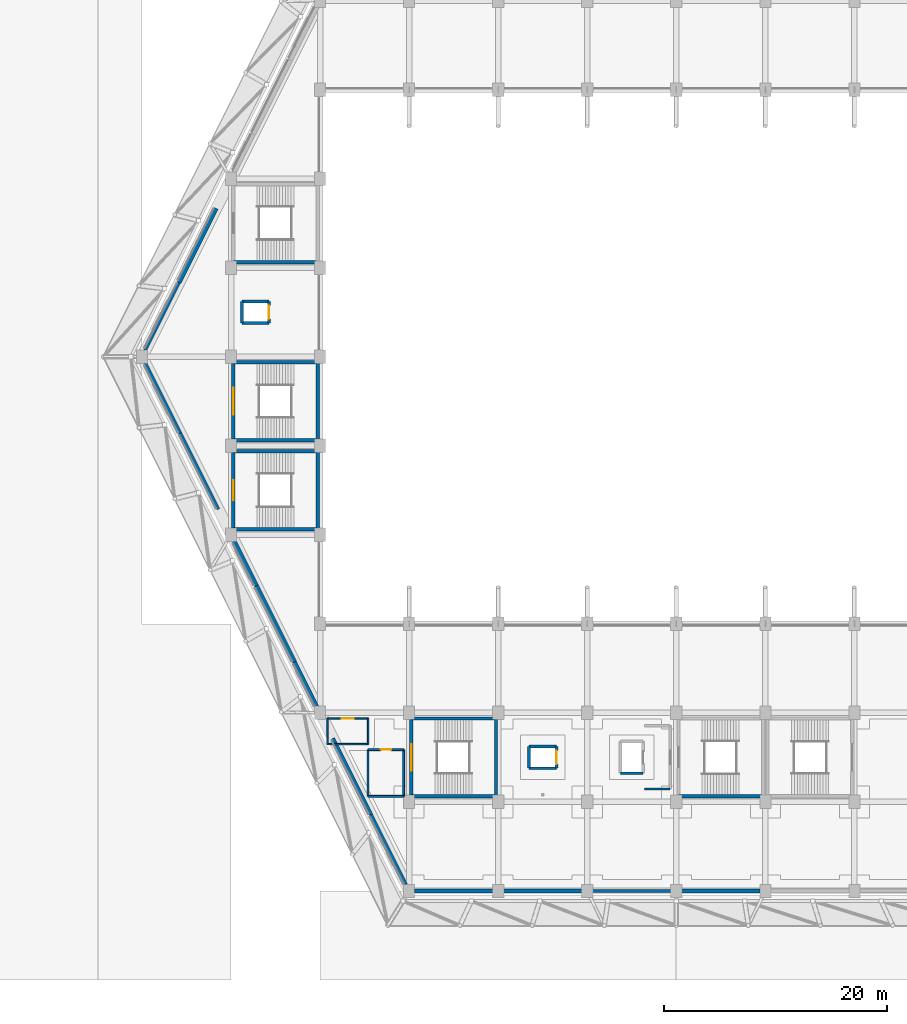
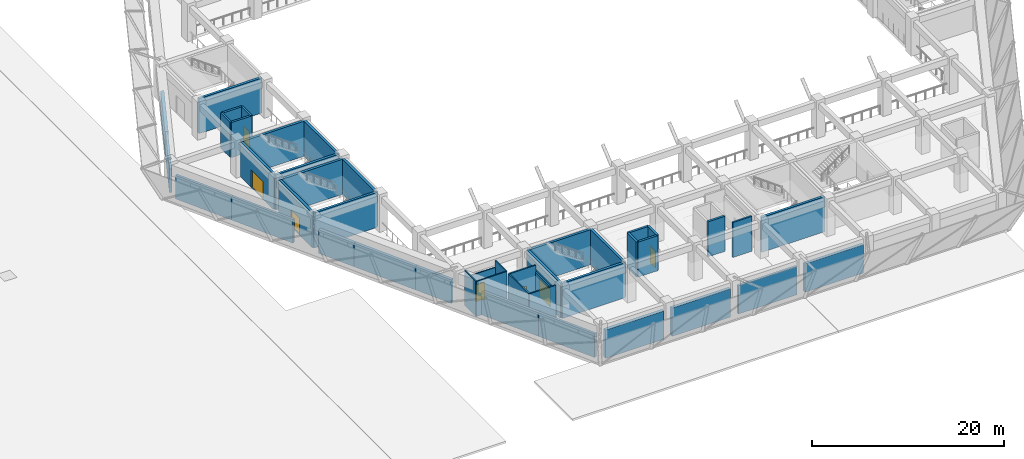
# One storey, part 30 of 46: 45 walls, 7 doors, 7 openings.
"""IFC4 building model written with IfcOpenShell, lengths in metres."""

from ifc_helpers import new_model, si_unit, direction, frame, frame_2d, origin, place, context, subcontext, project, spatial, rectangle, extrude, material, layer, layer_set, type_object, element, fill, save


model = new_model("IFC4")

# Units and contexts
model_context = context("Model", 3, precision=1e-05, world=origin(), true_north=direction((0.0, 1.0)))
body_context = subcontext(model_context, "Body", "Model", "MODEL_VIEW")
ifc_project = project(units=[si_unit("LENGTHUNIT", "METRE"), si_unit("AREAUNIT", "SQUARE_METRE"), si_unit("VOLUMEUNIT", "CUBIC_METRE"), si_unit("PLANEANGLEUNIT", "RADIAN"), si_unit("MASSUNIT", "GRAM", prefix="KILO")], contexts=[model_context])

# Site, building, storey
site_placement = place(None, origin())
site = spatial("IfcSite", under=ifc_project, at=site_placement, CompositionType="ELEMENT")
building_placement = place(site_placement, origin())
building = spatial("IfcBuilding", under=site, at=building_placement, Name="Tazarka Park Arena", CompositionType="ELEMENT")
storey_placement = place(building_placement, frame((0.0, 0.0, 10.199951171875)))
storey = spatial("IfcBuildingStorey", under=building, at=storey_placement, Name="L02", CompositionType="ELEMENT", Elevation=10.199951171875)

# Wall
ifc_material_1 = material(Name="Concrete C40/50", Category="concrete")
ifc_layer_1 = layer(ifc_material_1, 0.300048828125, Name="Concrete C40/50")
ifc_layer_set_1 = layer_set([ifc_layer_1], Name="Concrete C40/50")
wall_type_1 = type_object("IfcWallType", Name="IWAL-CW-S1", PredefinedType="SHEAR", material=ifc_layer_set_1)
wall_1_placement = place(storey_placement, frame((71.800048828125, 24.5, 0.0), z_axis=(0.0, 0.0, 1.0), x_axis=(-1.0, 0.0, 0.0)))
element("IfcWall", 1, at=wall_1_placement, inside=storey, type_object=wall_type_1, Name="SCW-L02-ST09-S", PredefinedType="SHEAR", context=body_context, shape_type="SweptSolid", body=[
    extrude(rectangle(XDim=7.60009765625, YDim=0.300048828125, at=frame_2d((3.800048828125, 0.0))), origin(), (0.0, 0.0, 1.0), 4.4599609375),
])

# Wall, opening, door
wall_2_placement = place(storey_placement, frame((64.199951171875, 24.5, 0.0), z_axis=(0.0, 0.0, 1.0), x_axis=(0.0, 1.0, 0.0)))
wall_2 = element("IfcWall", 2, at=wall_2_placement, inside=storey, type_object=wall_type_1, Name="SCW-L02-ST09-W", PredefinedType="SHEAR", context=body_context, shape_type="SweptSolid", body=[
    extrude(rectangle(XDim=7.0, YDim=0.300048828125, at=frame_2d((3.5, 0.0))), origin(), (0.0, 0.0, 1.0), 4.4599609375),
])
opening_1_placement = place(wall_2_placement, frame((2.300048828125, 0.0, 0.0)))
opening_1 = element("IfcOpeningElement", 3, at=opening_1_placement, cuts=wall_2, Name="Opening ID-05", PredefinedType="OPENING", context=body_context, shape_type="SweptSolid", body=[
    extrude(rectangle(XDim=2.39990234375, YDim=2.199951171875, at=frame_2d((1.199951171875, 1.10009765625))), frame((0.0, 0.16015625, 0.0), z_axis=(0.0, -1.0, 0.0), x_axis=(1.0, 0.0, 0.0)), (0.0, 0.0, 1.0), 0.320068359375),
])
ifc_material_2 = material(Name="Fire-rated powder-coated steel and acoustic timber", Category="steel")
door_type_1 = type_object("IfcDoorType", Name="IDR-ID-05", OperationType="NOTDEFINED", PredefinedType="DOOR", material=ifc_material_2)
door_1_placement = place(opening_1_placement, frame((2.39990234375, 0.0, 0.0), z_axis=(0.0, 0.0, 1.0), x_axis=(-1.0, 0.0, 0.0)))
door_1 = element("IfcDoor", 4, at=door_1_placement, inside=storey, type_object=door_type_1, Name="Exit Stair Door ST09-L02", OperationType="DOUBLE_DOOR_SINGLE_SWING", OverallHeight=2.199951171875, OverallWidth=2.39990234375, PredefinedType="DOOR", context=body_context, shape_type="SweptSolid", body=[
    extrude(rectangle(XDim=2.39990234375, YDim=2.199951171875, at=frame_2d((1.199951171875, 1.10009765625))), frame((0.0, 0.02490234375, 0.0), z_axis=(0.0, -1.0, 0.0), x_axis=(1.0, 0.0, 0.0)), (0.0, 0.0, 1.0), 0.050048828125),
])
fill(opening_1, door_1)

# Walls
wall_3_placement = place(storey_placement, frame((64.199951171875, 31.5, 0.0), z_axis=(0.0, 0.0, 1.0), x_axis=(1.0, 0.0, 0.0)))
element("IfcWall", 5, at=wall_3_placement, inside=storey, type_object=wall_type_1, Name="SCW-L02-ST09-N", PredefinedType="SHEAR", context=body_context, shape_type="SweptSolid", body=[
    extrude(rectangle(XDim=7.60009765625, YDim=0.300048828125, at=frame_2d((3.800048828125, 0.0))), origin(), (0.0, 0.0, 1.0), 4.4599609375),
])
wall_4_placement = place(storey_placement, frame((71.800048828125, 31.5, 0.0), z_axis=(0.0, 0.0, 1.0), x_axis=(0.0, -1.0, 0.0)))
element("IfcWall", 6, at=wall_4_placement, inside=storey, type_object=wall_type_1, Name="SCW-L02-ST09-E", PredefinedType="SHEAR", context=body_context, shape_type="SweptSolid", body=[
    extrude(rectangle(XDim=7.0, YDim=0.300048828125, at=frame_2d((3.5, 0.0))), origin(), (0.0, 0.0, 1.0), 4.4599609375),
])
wall_5_placement = place(storey_placement, frame((55.800048828125, 56.5, 0.0), z_axis=(0.0, 0.0, 1.0), x_axis=(-1.0, 0.0, 0.0)))
element("IfcWall", 7, at=wall_5_placement, inside=storey, type_object=wall_type_1, Name="SCW-L02-ST13-S", PredefinedType="SHEAR", context=body_context, shape_type="SweptSolid", body=[
    extrude(rectangle(XDim=7.60009765625, YDim=0.300048828125, at=frame_2d((3.800048828125, 0.0))), origin(), (0.0, 0.0, 1.0), 4.4599609375),
])

# Wall, opening, door
wall_6_placement = place(storey_placement, frame((48.199951171875, 56.5, 0.0), z_axis=(0.0, 0.0, 1.0), x_axis=(0.0, 1.0, 0.0)))
wall_6 = element("IfcWall", 8, at=wall_6_placement, inside=storey, type_object=wall_type_1, Name="SCW-L02-ST13-W", PredefinedType="SHEAR", context=body_context, shape_type="SweptSolid", body=[
    extrude(rectangle(XDim=7.0, YDim=0.300048828125, at=frame_2d((3.5, 0.0))), origin(), (0.0, 0.0, 1.0), 4.4599609375),
])
opening_2_placement = place(wall_6_placement, frame((2.300048828125, 0.0, 0.0)))
opening_2 = element("IfcOpeningElement", 9, at=opening_2_placement, cuts=wall_6, Name="Opening ID-05", PredefinedType="OPENING", context=body_context, shape_type="SweptSolid", body=[
    extrude(rectangle(XDim=2.39990234375, YDim=2.199951171875, at=frame_2d((1.199951171875, 1.10009765625))), frame((0.0, 0.16015625, 0.0), z_axis=(0.0, -1.0, 0.0), x_axis=(1.0, 0.0, 0.0)), (0.0, 0.0, 1.0), 0.320068359375),
])
door_2_placement = place(opening_2_placement, frame((2.39990234375, 0.0, 0.0), z_axis=(0.0, 0.0, 1.0), x_axis=(-1.0, 0.0, 0.0)))
door_2 = element("IfcDoor", 10, at=door_2_placement, inside=storey, type_object=door_type_1, Name="Exit Stair Door ST13-L02", OperationType="DOUBLE_DOOR_SINGLE_SWING", OverallHeight=2.199951171875, OverallWidth=2.39990234375, PredefinedType="DOOR", context=body_context, shape_type="SweptSolid", body=[
    extrude(rectangle(XDim=2.39990234375, YDim=2.199951171875, at=frame_2d((1.199951171875, 1.10009765625))), frame((0.0, 0.02490234375, 0.0), z_axis=(0.0, -1.0, 0.0), x_axis=(1.0, 0.0, 0.0)), (0.0, 0.0, 1.0), 0.050048828125),
])
fill(opening_2, door_2)

# Walls
wall_7_placement = place(storey_placement, frame((48.199951171875, 63.5, 0.0), z_axis=(0.0, 0.0, 1.0), x_axis=(1.0, 0.0, 0.0)))
element("IfcWall", 11, at=wall_7_placement, inside=storey, type_object=wall_type_1, Name="SCW-L02-ST13-N", PredefinedType="SHEAR", context=body_context, shape_type="SweptSolid", body=[
    extrude(rectangle(XDim=7.60009765625, YDim=0.300048828125, at=frame_2d((3.800048828125, 0.0))), origin(), (0.0, 0.0, 1.0), 4.4599609375),
])
wall_8_placement = place(storey_placement, frame((55.800048828125, 63.5, 0.0), z_axis=(0.0, 0.0, 1.0), x_axis=(0.0, -1.0, 0.0)))
element("IfcWall", 12, at=wall_8_placement, inside=storey, type_object=wall_type_1, Name="SCW-L02-ST13-E", PredefinedType="SHEAR", context=body_context, shape_type="SweptSolid", body=[
    extrude(rectangle(XDim=7.0, YDim=0.300048828125, at=frame_2d((3.5, 0.0))), origin(), (0.0, 0.0, 1.0), 4.4599609375),
])
wall_9_placement = place(storey_placement, frame((55.800048828125, 48.5, 0.0), z_axis=(0.0, 0.0, 1.0), x_axis=(-1.0, 0.0, 0.0)))
element("IfcWall", 13, at=wall_9_placement, inside=storey, type_object=wall_type_1, Name="SCW-L02-ST19-S", PredefinedType="SHEAR", context=body_context, shape_type="SweptSolid", body=[
    extrude(rectangle(XDim=7.60009765625, YDim=0.300048828125, at=frame_2d((3.800048828125, 0.0))), origin(), (0.0, 0.0, 1.0), 4.4599609375),
])

# Wall, opening, door
wall_10_placement = place(storey_placement, frame((48.199951171875, 48.5, 0.0), z_axis=(0.0, 0.0, 1.0), x_axis=(0.0, 1.0, 0.0)))
wall_10 = element("IfcWall", 14, at=wall_10_placement, inside=storey, type_object=wall_type_1, Name="SCW-L02-ST19-W", PredefinedType="SHEAR", context=body_context, shape_type="SweptSolid", body=[
    extrude(rectangle(XDim=7.0, YDim=0.300048828125, at=frame_2d((3.5, 0.0))), origin(), (0.0, 0.0, 1.0), 4.4599609375),
])
opening_3_placement = place(wall_10_placement, frame((2.60009765625, 0.0, 0.0)))
opening_3 = element("IfcOpeningElement", 15, at=opening_3_placement, cuts=wall_10, Name="Opening ID-04", PredefinedType="OPENING", context=body_context, shape_type="SweptSolid", body=[
    extrude(rectangle(XDim=1.800048828125, YDim=2.199951171875, at=frame_2d((0.89990234375, 1.10009765625))), frame((0.0, 0.16015625, 0.0), z_axis=(0.0, -1.0, 0.0), x_axis=(1.0, 0.0, 0.0)), (0.0, 0.0, 1.0), 0.320068359375),
])
ifc_material_3 = material(Name="Fire-rated powder-coated steel and acoustic timber", Category="steel")
door_type_2 = type_object("IfcDoorType", Name="IDR-ID-04", OperationType="NOTDEFINED", PredefinedType="DOOR", material=ifc_material_3)
door_3_placement = place(opening_3_placement, frame((1.800048828125, 0.0, 0.0), z_axis=(0.0, 0.0, 1.0), x_axis=(-1.0, 0.0, 0.0)))
door_3 = element("IfcDoor", 16, at=door_3_placement, inside=storey, type_object=door_type_2, Name="Vomitory Stair Door ST19-L02", OperationType="DOUBLE_DOOR_SINGLE_SWING", OverallHeight=2.199951171875, OverallWidth=1.800048828125, PredefinedType="DOOR", context=body_context, shape_type="SweptSolid", body=[
    extrude(rectangle(XDim=1.800048828125, YDim=2.199951171875, at=frame_2d((0.89990234375, 1.10009765625))), frame((0.0, 0.02490234375, 0.0), z_axis=(0.0, -1.0, 0.0), x_axis=(1.0, 0.0, 0.0)), (0.0, 0.0, 1.0), 0.050048828125),
])
fill(opening_3, door_3)

# Walls
wall_11_placement = place(storey_placement, frame((48.199951171875, 55.5, 0.0), z_axis=(0.0, 0.0, 1.0), x_axis=(1.0, 0.0, 0.0)))
element("IfcWall", 17, at=wall_11_placement, inside=storey, type_object=wall_type_1, Name="SCW-L02-ST19-N", PredefinedType="SHEAR", context=body_context, shape_type="SweptSolid", body=[
    extrude(rectangle(XDim=7.60009765625, YDim=0.300048828125, at=frame_2d((3.800048828125, 0.0))), origin(), (0.0, 0.0, 1.0), 4.4599609375),
])
wall_12_placement = place(storey_placement, frame((55.800048828125, 55.5, 0.0), z_axis=(0.0, 0.0, 1.0), x_axis=(0.0, -1.0, 0.0)))
element("IfcWall", 18, at=wall_12_placement, inside=storey, type_object=wall_type_1, Name="SCW-L02-ST19-E", PredefinedType="SHEAR", context=body_context, shape_type="SweptSolid", body=[
    extrude(rectangle(XDim=7.0, YDim=0.300048828125, at=frame_2d((3.5, 0.0))), origin(), (0.0, 0.0, 1.0), 4.4599609375),
])
for number, where, z_axis, x_axis, name in (
    (19, (55.800048828125, 72.5, 0.0), (0.0, 0.0, 1.0), (-1.0, 0.0, 0.0), "SCW-L02-ST20-S"),
    (20, (95.800048828125, 24.5, 0.0), (0.0, 0.0, 1.0), (-1.0, 0.0, 0.0), "SCW-L02-ST23-S"),
):
    element("IfcWall", number, at=place(storey_placement, frame(where, z_axis=z_axis, x_axis=x_axis)), inside=storey, type_object=wall_type_1, Name=name, PredefinedType="SHEAR", context=body_context, shape_type="SweptSolid", body=[
        extrude(rectangle(XDim=7.60009765625, YDim=0.300048828125, at=frame_2d((3.800048828125, 0.0))), origin(), (0.0, 0.0, 1.0), 4.4599609375),
    ])
ifc_material_4 = material(Name="Concrete C40/50", Category="concrete")
ifc_layer_2 = layer(ifc_material_4, 0.260009765625, Name="Concrete C40/50")
ifc_layer_set_2 = layer_set([ifc_layer_2], Name="Concrete C40/50")
wall_type_2 = type_object("IfcWallType", Name="IWAL-CW-S3", PredefinedType="SHEAR", material=ifc_layer_set_2)
wall_13_placement = place(storey_placement, frame((85.02001953125, 26.580078125, 0.0), z_axis=(0.0, 0.0, 1.0), x_axis=(-1.0, 0.0, 0.0)))
element("IfcWall", 21, at=wall_13_placement, inside=storey, type_object=wall_type_2, Name="LSW-L02-LF-04-S", PredefinedType="SHEAR", context=body_context, shape_type="SweptSolid", body=[
    extrude(rectangle(XDim=2.0400390625, YDim=0.260009765625, at=frame_2d((1.02001953125, 0.0))), origin(), (0.0, 0.0, 1.0), 4.4599609375),
])
wall_14_placement = place(storey_placement, frame((74.780029296875, 27.030029296875, 0.0), z_axis=(0.0, 0.0, 1.0), x_axis=(0.0, 1.0, 0.0)))
element("IfcWall", 22, at=wall_14_placement, inside=storey, type_object=wall_type_2, Name="LSW-L02-LF-08-W", PredefinedType="SHEAR", context=body_context, shape_type="SweptSolid", body=[
    extrude(rectangle(XDim=1.93994140625, YDim=0.260009765625, at=frame_2d((0.969970703125, 0.0))), origin(), (0.0, 0.0, 1.0), 4.4599609375),
])
for number, where, z_axis, x_axis, name in (
    (23, (74.780029296875, 28.969970703125, 0.0), (0.0, 0.0, 1.0), (1.0, 0.0, 0.0), "LSW-L02-LF-08-N"),
    (24, (77.219970703125, 27.030029296875, 0.0), (0.0, 0.0, 1.0), (-1.0, 0.0, 0.0), "LSW-L02-LF-08-S"),
):
    element("IfcWall", number, at=place(storey_placement, frame(where, z_axis=z_axis, x_axis=x_axis)), inside=storey, type_object=wall_type_2, Name=name, PredefinedType="SHEAR", context=body_context, shape_type="SweptSolid", body=[
        extrude(rectangle(XDim=2.43994140625, YDim=0.260009765625, at=frame_2d((1.219970703125, 0.0))), origin(), (0.0, 0.0, 1.0), 4.4599609375),
    ])

# Wall, opening, door
wall_15_placement = place(storey_placement, frame((77.219970703125, 28.969970703125, 0.0), z_axis=(0.0, 0.0, 1.0), x_axis=(0.0, -1.0, 0.0)))
wall_15 = element("IfcWall", 25, at=wall_15_placement, inside=storey, type_object=wall_type_2, Name="LSW-L02-LF-08-E", PredefinedType="SHEAR", context=body_context, shape_type="SweptSolid", body=[
    extrude(rectangle(XDim=1.93994140625, YDim=0.260009765625, at=frame_2d((0.969970703125, 0.0))), origin(), (0.0, 0.0, 1.0), 4.4599609375),
])
opening_4_placement = place(wall_15_placement, frame((0.3701171875, 0.0, 0.0)))
opening_4 = element("IfcOpeningElement", 26, at=opening_4_placement, cuts=wall_15, Name="Opening LD-02", PredefinedType="OPENING", context=body_context, shape_type="SweptSolid", body=[
    extrude(rectangle(XDim=1.199951171875, YDim=2.14990234375, at=frame_2d((0.60009765625, 1.074951171875))), frame((0.0, 0.14013671875, 0.0), z_axis=(0.0, -1.0, 0.0), x_axis=(1.0, 0.0, 0.0)), (0.0, 0.0, 1.0), 0.280029296875),
])
ifc_material_5 = material(Name="Fire-rated powder-coated steel and acoustic timber", Category="steel")
door_type_3 = type_object("IfcDoorType", Name="IDR-LD-02", OperationType="NOTDEFINED", PredefinedType="DOOR", material=ifc_material_5)
door_4_placement = place(opening_4_placement, origin())
door_4 = element("IfcDoor", 27, at=door_4_placement, inside=storey, type_object=door_type_3, Name="Lift Landing Door LF-08-L02", OperationType="SLIDING_TO_LEFT", OverallHeight=2.14990234375, OverallWidth=1.199951171875, PredefinedType="DOOR", context=body_context, shape_type="SweptSolid", body=[
    extrude(rectangle(XDim=1.199951171875, YDim=2.14990234375, at=frame_2d((0.60009765625, 1.074951171875))), frame((0.0, 0.02490234375, 0.0), z_axis=(0.0, -1.0, 0.0), x_axis=(1.0, 0.0, 0.0)), (0.0, 0.0, 1.0), 0.050048828125),
])
fill(opening_4, door_4)

# Walls
wall_16_placement = place(storey_placement, frame((48.97998046875, 67.030029296875, 0.0), z_axis=(0.0, 0.0, 1.0), x_axis=(0.0, 1.0, 0.0)))
element("IfcWall", 28, at=wall_16_placement, inside=storey, type_object=wall_type_2, Name="LSW-L02-LF-09-W", PredefinedType="SHEAR", context=body_context, shape_type="SweptSolid", body=[
    extrude(rectangle(XDim=1.93994140625, YDim=0.260009765625, at=frame_2d((0.969970703125, 0.0))), origin(), (0.0, 0.0, 1.0), 4.4599609375),
])
for number, where, z_axis, x_axis, name in (
    (29, (48.97998046875, 68.969970703125, 0.0), (0.0, 0.0, 1.0), (1.0, 0.0, 0.0), "LSW-L02-LF-09-N"),
    (30, (51.419921875, 67.030029296875, 0.0), (0.0, 0.0, 1.0), (-1.0, 0.0, 0.0), "LSW-L02-LF-09-S"),
):
    element("IfcWall", number, at=place(storey_placement, frame(where, z_axis=z_axis, x_axis=x_axis)), inside=storey, type_object=wall_type_2, Name=name, PredefinedType="SHEAR", context=body_context, shape_type="SweptSolid", body=[
        extrude(rectangle(XDim=2.43994140625, YDim=0.260009765625, at=frame_2d((1.219970703125, 0.0))), origin(), (0.0, 0.0, 1.0), 4.4599609375),
    ])

# Wall, opening, door
wall_17_placement = place(storey_placement, frame((51.419921875, 68.969970703125, 0.0), z_axis=(0.0, 0.0, 1.0), x_axis=(0.0, -1.0, 0.0)))
wall_17 = element("IfcWall", 31, at=wall_17_placement, inside=storey, type_object=wall_type_2, Name="LSW-L02-LF-09-E", PredefinedType="SHEAR", context=body_context, shape_type="SweptSolid", body=[
    extrude(rectangle(XDim=1.93994140625, YDim=0.260009765625, at=frame_2d((0.969970703125, 0.0))), origin(), (0.0, 0.0, 1.0), 4.4599609375),
])
opening_5_placement = place(wall_17_placement, frame((0.3701171875, 0.0, 0.0)))
opening_5 = element("IfcOpeningElement", 32, at=opening_5_placement, cuts=wall_17, Name="Opening LD-02", PredefinedType="OPENING", context=body_context, shape_type="SweptSolid", body=[
    extrude(rectangle(XDim=1.199951171875, YDim=2.14990234375, at=frame_2d((0.60009765625, 1.074951171875))), frame((0.0, 0.14013671875, 0.0), z_axis=(0.0, -1.0, 0.0), x_axis=(1.0, 0.0, 0.0)), (0.0, 0.0, 1.0), 0.280029296875),
])
door_5_placement = place(opening_5_placement, origin())
door_5 = element("IfcDoor", 33, at=door_5_placement, inside=storey, type_object=door_type_3, Name="Lift Landing Door LF-09-L02", OperationType="SLIDING_TO_LEFT", OverallHeight=2.14990234375, OverallWidth=1.199951171875, PredefinedType="DOOR", context=body_context, shape_type="SweptSolid", body=[
    extrude(rectangle(XDim=1.199951171875, YDim=2.14990234375, at=frame_2d((0.60009765625, 1.074951171875))), frame((0.0, 0.02490234375, 0.0), z_axis=(0.0, -1.0, 0.0), x_axis=(1.0, 0.0, 0.0)), (0.0, 0.0, 1.0), 0.050048828125),
])
fill(opening_5, door_5)

# Walls
ifc_material_6 = material(Name="Reinforced masonry compartment wall", Category="masonry")
ifc_layer_3 = layer(ifc_material_6, 0.199951171875, Name="Reinforced masonry compartment wall")
ifc_layer_set_3 = layer_set([ifc_layer_3], Name="Reinforced masonry compartment wall")
wall_type_3 = type_object("IfcWallType", Name="IWAL-PT-04", PredefinedType="PARTITIONING", material=ifc_layer_set_3)
wall_18_placement = place(storey_placement, frame((87.449951171875, 25.14990234375, 0.0), z_axis=(0.0, 0.0, 1.0), x_axis=(-1.0, 0.0, 0.0)))
element("IfcWall", 34, at=wall_18_placement, inside=storey, type_object=wall_type_3, Name="FFW-L02-LF-04-S", PredefinedType="PARTITIONING", context=body_context, shape_type="SweptSolid", body=[
    extrude(rectangle(XDim=2.300048828125, YDim=0.199951171875, at=frame_2d((1.14990234375, 0.0))), origin(), (0.0, 0.0, 1.0), 4.4599609375),
])
ifc_material_7 = material(Name="Acoustic gypsum stud partition")
ifc_layer_4 = layer(ifc_material_7, 0.135009765625, Name="Acoustic gypsum stud partition")
ifc_layer_set_4 = layer_set([ifc_layer_4], Name="Acoustic gypsum stud partition")
wall_type_4 = type_object("IfcWallType", Name="IWAL-PT-10", PredefinedType="PARTITIONING", material=ifc_layer_set_4)
wall_19_placement = place(storey_placement, frame((56.641357421875, 29.199951171875, 0.0), z_axis=(0.0, 0.0, 1.0), x_axis=(1.0, 0.0, 0.0)))
element("IfcWall", 35, at=wall_19_placement, inside=storey, type_object=wall_type_4, Name="WCE-L02-087", PredefinedType="PARTITIONING", context=body_context, shape_type="SweptSolid", body=[
    extrude(rectangle(XDim=3.65869140625, YDim=0.135009765625, at=frame_2d((1.829345703125, 0.0))), origin(), (0.0, 0.0, 1.0), 4.4599609375),
])
wall_20_placement = place(storey_placement, frame((60.300048828125, 29.199951171875, 0.0), z_axis=(0.0, 0.0, 1.0), x_axis=(0.0, 1.0, 0.0)))
element("IfcWall", 36, at=wall_20_placement, inside=storey, type_object=wall_type_4, Name="WCE-L02-088", PredefinedType="PARTITIONING", context=body_context, shape_type="SweptSolid", body=[
    extrude(rectangle(XDim=2.300048828125, YDim=0.135009765625, at=frame_2d((1.14990234375, 0.0))), origin(), (0.0, 0.0, 1.0), 4.4599609375),
])

# Wall, opening, door
wall_21_placement = place(storey_placement, frame((60.300048828125, 31.5, 0.0), z_axis=(0.0, 0.0, 1.0), x_axis=(-1.0, 0.0, 0.0)))
wall_21 = element("IfcWall", 37, at=wall_21_placement, inside=storey, type_object=wall_type_4, Name="WCE-L02-089", PredefinedType="PARTITIONING", context=body_context, shape_type="SweptSolid", body=[
    extrude(rectangle(XDim=3.65869140625, YDim=0.135009765625, at=frame_2d((1.829345703125, 0.0))), origin(), (0.0, 0.0, 1.0), 3.60009765625),
])
opening_6_placement = place(wall_21_placement, frame((1.279296875, 0.0, 0.0)))
opening_6 = element("IfcOpeningElement", 38, at=opening_6_placement, cuts=wall_21, Name="Opening ID-02", PredefinedType="OPENING", context=body_context, shape_type="SweptSolid", body=[
    extrude(rectangle(XDim=1.10009765625, YDim=2.14990234375, at=frame_2d((0.550048828125, 1.074951171875))), frame((0.0, 0.07763671875, 0.0), z_axis=(0.0, -1.0, 0.0), x_axis=(1.0, 0.0, 0.0)), (0.0, 0.0, 1.0), 0.155029296875),
])
ifc_material_8 = material(Name="Fire-rated powder-coated steel and acoustic timber", Category="steel")
door_type_4 = type_object("IfcDoorType", Name="IDR-ID-02", OperationType="NOTDEFINED", PredefinedType="DOOR", material=ifc_material_8)
door_6_placement = place(opening_6_placement, origin())
door_6 = element("IfcDoor", 39, at=door_6_placement, inside=storey, type_object=door_type_4, Name="Room Door Accessible WC South 1", OperationType="SINGLE_SWING_LEFT", OverallHeight=2.14990234375, OverallWidth=1.10009765625, PredefinedType="DOOR", context=body_context, shape_type="SweptSolid", body=[
    extrude(rectangle(XDim=1.10009765625, YDim=2.14990234375, at=frame_2d((0.550048828125, 1.074951171875))), frame((0.0, 0.02490234375, 0.0), z_axis=(0.0, -1.0, 0.0), x_axis=(1.0, 0.0, 0.0)), (0.0, 0.0, 1.0), 0.050048828125),
])
fill(opening_6, door_6)

# Walls
wall_22_placement = place(storey_placement, frame((56.641357421875, 31.5, 0.0), z_axis=(0.0, 0.0, 1.0), x_axis=(0.0, -1.0, 0.0)))
element("IfcWall", 40, at=wall_22_placement, inside=storey, type_object=wall_type_4, Name="WCE-L02-090", PredefinedType="PARTITIONING", context=body_context, shape_type="SweptSolid", body=[
    extrude(rectangle(XDim=2.300048828125, YDim=0.135009765625, at=frame_2d((1.14990234375, 0.0))), origin(), (0.0, 0.0, 1.0), 4.4599609375),
])
ifc_material_9 = material(Name="Wet-zone tiled blockwork wall", Category="masonry")
ifc_layer_5 = layer(ifc_material_9, 0.175048828125, Name="Wet-zone tiled blockwork wall")
ifc_layer_set_5 = layer_set([ifc_layer_5], Name="Wet-zone tiled blockwork wall")
wall_type_5 = type_object("IfcWallType", Name="IWAL-PT-18", PredefinedType="PARTITIONING", material=ifc_layer_set_5)
wall_23_placement = place(storey_placement, frame((60.300048828125, 24.5, 0.0), z_axis=(0.0, 0.0, 1.0), x_axis=(1.0, 0.0, 0.0)))
element("IfcWall", 41, at=wall_23_placement, inside=storey, type_object=wall_type_5, Name="WCE-L02-083", PredefinedType="PARTITIONING", context=body_context, shape_type="SweptSolid", body=[
    extrude(rectangle(XDim=3.199951171875, YDim=0.175048828125, at=frame_2d((1.60009765625, 0.0))), origin(), (0.0, 0.0, 1.0), 4.4599609375),
])
wall_24_placement = place(storey_placement, frame((63.5, 24.5, 0.0), z_axis=(0.0, 0.0, 1.0), x_axis=(0.0, 1.0, 0.0)))
element("IfcWall", 42, at=wall_24_placement, inside=storey, type_object=wall_type_5, Name="WCE-L02-084", PredefinedType="PARTITIONING", context=body_context, shape_type="SweptSolid", body=[
    extrude(rectangle(XDim=4.199951171875, YDim=0.175048828125, at=frame_2d((2.10009765625, 0.0))), origin(), (0.0, 0.0, 1.0), 3.60009765625),
])

# Wall, opening, door
wall_25_placement = place(storey_placement, frame((63.5, 28.699951171875, 0.0), z_axis=(0.0, 0.0, 1.0), x_axis=(-1.0, 0.0, 0.0)))
wall_25 = element("IfcWall", 43, at=wall_25_placement, inside=storey, type_object=wall_type_5, Name="WCE-L02-085", PredefinedType="PARTITIONING", context=body_context, shape_type="SweptSolid", body=[
    extrude(rectangle(XDim=3.199951171875, YDim=0.175048828125, at=frame_2d((1.60009765625, 0.0))), origin(), (0.0, 0.0, 1.0), 4.4599609375),
])
opening_7_placement = place(wall_25_placement, frame((1.125, 0.0, 0.0)))
opening_7 = element("IfcOpeningElement", 44, at=opening_7_placement, cuts=wall_25, Name="Opening ID-09", PredefinedType="OPENING", context=body_context, shape_type="SweptSolid", body=[
    extrude(rectangle(XDim=0.949951171875, YDim=2.14990234375, at=frame_2d((0.47509765625, 1.074951171875))), frame((0.0, 0.09765625, 0.0), z_axis=(0.0, -1.0, 0.0), x_axis=(1.0, 0.0, 0.0)), (0.0, 0.0, 1.0), 0.195068359375),
])
ifc_material_10 = material(Name="Fire-rated powder-coated steel and acoustic timber", Category="steel")
door_type_5 = type_object("IfcDoorType", Name="IDR-ID-09", OperationType="NOTDEFINED", PredefinedType="DOOR", material=ifc_material_10)
door_7_placement = place(opening_7_placement, origin())
door_7 = element("IfcDoor", 45, at=door_7_placement, inside=storey, type_object=door_type_5, Name="Room Door Public Female WC South 1", OperationType="SINGLE_SWING_RIGHT", OverallHeight=2.14990234375, OverallWidth=0.949951171875, PredefinedType="DOOR", context=body_context, shape_type="SweptSolid", body=[
    extrude(rectangle(XDim=0.949951171875, YDim=2.14990234375, at=frame_2d((0.47509765625, 1.074951171875))), frame((0.0, 0.02490234375, 0.0), z_axis=(0.0, -1.0, 0.0), x_axis=(1.0, 0.0, 0.0)), (0.0, 0.0, 1.0), 0.050048828125),
])
fill(opening_7, door_7)

# Walls
wall_26_placement = place(storey_placement, frame((60.300048828125, 28.699951171875, 0.0), z_axis=(0.0, 0.0, 1.0), x_axis=(0.0, -1.0, 0.0)))
element("IfcWall", 46, at=wall_26_placement, inside=storey, type_object=wall_type_5, Name="WCE-L02-086", PredefinedType="PARTITIONING", context=body_context, shape_type="SweptSolid", body=[
    extrude(rectangle(XDim=4.199951171875, YDim=0.175048828125, at=frame_2d((2.10009765625, 0.0))), origin(), (0.0, 0.0, 1.0), 4.4599609375),
])
ifc_material_11 = material(Name="Precast concrete C40/50", Category="concrete")
ifc_layer_6 = layer(ifc_material_11, 0.300048828125, Name="Precast concrete C40/50")
ifc_layer_set_6 = layer_set([ifc_layer_6], Name="Precast concrete C40/50")
wall_type_6 = type_object("IfcWallType", Name="WAL-EW-01", PredefinedType="SOLIDWALL", material=ifc_layer_set_6)
wall_27_placement = place(storey_placement, frame((63.7099609375, 16.580078125, 0.0), z_axis=(0.0, 0.0, 1.0), x_axis=(-0.447227510427, 0.894420233401, 0.0)))
element("IfcWall", 47, at=wall_27_placement, inside=storey, type_object=wall_type_6, Name="EW-L02-0240", PredefinedType="SOLIDWALL", context=body_context, shape_type="SweptSolid", body=[
    extrude(rectangle(XDim=7.01806640625, YDim=0.300048828125, at=frame_2d((3.509033203125, 0.0))), origin(), (0.0, 0.0, 1.0), 3.0),
])
ifc_material_12 = material(Name="Precast concrete C40/50", Category="concrete")
ifc_layer_7 = layer(ifc_material_12, 0.320068359375, Name="Precast concrete C40/50")
ifc_layer_set_7 = layer_set([ifc_layer_7], Name="Precast concrete C40/50")
wall_type_7 = type_object("IfcWallType", Name="WAL-EW-02", PredefinedType="SOLIDWALL", material=ifc_layer_set_7)
wall_28_placement = place(storey_placement, frame((60.5712890625, 22.857177734375, 0.0), z_axis=(0.0, 0.0, 1.0), x_axis=(-0.447200857411, 0.894433559931, 0.0)))
element("IfcWall", 48, at=wall_28_placement, inside=storey, type_object=wall_type_7, Name="EW-L02-0241", PredefinedType="SOLIDWALL", context=body_context, shape_type="SweptSolid", body=[
    extrude(rectangle(XDim=7.66650390625, YDim=0.320068359375, at=frame_2d((3.833251953125, 0.0))), origin(), (0.0, 0.0, 1.0), 3.0),
])
ifc_material_13 = material(Name="Concrete C40/50", Category="concrete")
ifc_layer_8 = layer(ifc_material_13, 0.340087890625, Name="Concrete C40/50")
ifc_layer_set_8 = layer_set([ifc_layer_8], Name="Concrete C40/50")
wall_type_8 = type_object("IfcWallType", Name="WAL-EW-03", PredefinedType="SOLIDWALL", material=ifc_layer_set_8)
wall_29_placement = place(storey_placement, frame((55.7099609375, 32.580078125, 0.0), z_axis=(0.0, 0.0, 1.0), x_axis=(-0.4472135955, 0.894427191, 0.0)))
element("IfcWall", 49, at=wall_29_placement, inside=storey, type_object=wall_type_8, Name="EW-L02-0242", PredefinedType="SOLIDWALL", context=body_context, shape_type="SweptSolid", body=[
    extrude(rectangle(XDim=4.46240234375, YDim=0.340087890625, at=frame_2d((2.231201171875, 0.0))), origin(), (0.0, 0.0, 1.0), 3.0),
])
ifc_material_14 = material(Name="Concrete C40/50", Category="concrete")
ifc_layer_9 = layer(ifc_material_14, 0.360107421875, Name="Concrete C40/50")
ifc_layer_set_9 = layer_set([ifc_layer_9], Name="Concrete C40/50")
wall_type_9 = type_object("IfcWallType", Name="WAL-EW-04", PredefinedType="SOLIDWALL", material=ifc_layer_set_9)
wall_30_placement = place(storey_placement, frame((53.71435546875, 36.5712890625, 0.0), z_axis=(0.0, 0.0, 1.0), x_axis=(-0.4472135955, 0.894427191, 0.0)))
element("IfcWall", 50, at=wall_30_placement, inside=storey, type_object=wall_type_9, Name="EW-L02-0243", PredefinedType="SOLIDWALL", context=body_context, shape_type="SweptSolid", body=[
    extrude(rectangle(XDim=7.666748046875, YDim=0.360107421875, at=frame_2d((3.83349609375, 0.0))), origin(), (0.0, 0.0, 1.0), 3.0),
])
ifc_material_15 = material(Name="Concrete C50/60", Category="concrete")
ifc_layer_10 = layer(ifc_material_15, 0.3798828125, Name="Concrete C50/60")
ifc_layer_set_10 = layer_set([ifc_layer_10], Name="Concrete C50/60")
wall_type_10 = type_object("IfcWallType", Name="WAL-EW-05", PredefinedType="SOLIDWALL", material=ifc_layer_set_10)
wall_31_placement = place(storey_placement, frame((50.28564453125, 43.4287109375, 0.0), z_axis=(0.0, 0.0, 1.0), x_axis=(-0.4472135955, 0.894427191, 0.0)))
element("IfcWall", 51, at=wall_31_placement, inside=storey, type_object=wall_type_10, Name="EW-L02-0244", PredefinedType="SOLIDWALL", context=body_context, shape_type="SweptSolid", body=[
    extrude(rectangle(XDim=4.46240234375, YDim=0.3798828125, at=frame_2d((2.231201171875, 0.0))), origin(), (0.0, 0.0, 1.0), 3.0),
])
ifc_material_16 = material(Name="Precast concrete C40/50", Category="concrete")
ifc_layer_11 = layer(ifc_material_16, 0.280029296875, Name="Precast concrete C40/50")
ifc_layer_set_11 = layer_set([ifc_layer_11], Name="Precast concrete C40/50")
wall_type_11 = type_object("IfcWallType", Name="WAL-EW-06", PredefinedType="SOLIDWALL", material=ifc_layer_set_11)
wall_32_placement = place(storey_placement, frame((46.857177734375, 50.28564453125, 0.0), z_axis=(0.0, 0.0, 1.0), x_axis=(-0.447200857411, 0.894433559931, 0.0)))
element("IfcWall", 52, at=wall_32_placement, inside=storey, type_object=wall_type_11, Name="EW-L02-0245", PredefinedType="SOLIDWALL", context=body_context, shape_type="SweptSolid", body=[
    extrude(rectangle(XDim=7.66650390625, YDim=0.280029296875, at=frame_2d((3.833251953125, 0.0))), origin(), (0.0, 0.0, 1.0), 3.0),
])
ifc_material_17 = material(Name="Precast concrete C40/50", Category="concrete")
ifc_layer_12 = layer(ifc_material_17, 0.2900390625, Name="Precast concrete C40/50")
ifc_layer_set_12 = layer_set([ifc_layer_12], Name="Precast concrete C40/50")
wall_type_12 = type_object("IfcWallType", Name="WAL-EW-07", PredefinedType="SOLIDWALL", material=ifc_layer_set_12)
wall_33_placement = place(storey_placement, frame((43.4287109375, 57.142822265625, 0.0), z_axis=(0.0, 0.0, 1.0), x_axis=(-0.447227510427, 0.894420233401, 0.0)))
element("IfcWall", 53, at=wall_33_placement, inside=storey, type_object=wall_type_12, Name="EW-L02-0246", PredefinedType="SOLIDWALL", context=body_context, shape_type="SweptSolid", body=[
    extrude(rectangle(XDim=7.01806640625, YDim=0.2900390625, at=frame_2d((3.509033203125, 0.0))), origin(), (0.0, 0.0, 1.0), 3.0),
])
ifc_material_18 = material(Name="Concrete C40/50", Category="concrete")
ifc_layer_13 = layer(ifc_material_18, 0.35009765625, Name="Concrete C40/50")
ifc_layer_set_13 = layer_set([ifc_layer_13], Name="Concrete C40/50")
wall_type_13 = type_object("IfcWallType", Name="WAL-EW-10", PredefinedType="SOLIDWALL", material=ifc_layer_set_13)
wall_34_placement = place(storey_placement, frame((95.52001953125, 16.0, 0.0), z_axis=(0.0, 0.0, 1.0), x_axis=(-1.0, 0.0, 0.0)))
element("IfcWall", 54, at=wall_34_placement, inside=storey, type_object=wall_type_13, Name="EW-L02-0249", PredefinedType="SOLIDWALL", context=body_context, shape_type="SweptSolid", body=[
    extrude(rectangle(XDim=7.0400390625, YDim=0.35009765625, at=frame_2d((3.52001953125, 0.0))), origin(), (0.0, 0.0, 1.0), 3.60009765625),
])
ifc_material_19 = material(Name="Precast concrete C40/50", Category="concrete")
ifc_layer_14 = layer(ifc_material_19, 0.27001953125, Name="Precast concrete C40/50")
ifc_layer_set_14 = layer_set([ifc_layer_14], Name="Precast concrete C40/50")
wall_type_14 = type_object("IfcWallType", Name="WAL-EW-11", PredefinedType="SOLIDWALL", material=ifc_layer_set_14)
wall_35_placement = place(storey_placement, frame((40.2900390625, 64.580078125, 0.0), z_axis=(0.0, 0.0, 1.0), x_axis=(0.447199244885, 0.894434366163, 0.0)))
element("IfcWall", 55, at=wall_35_placement, inside=storey, type_object=wall_type_14, Name="EW-L02-0234", PredefinedType="SOLIDWALL", context=body_context, shape_type="SweptSolid", body=[
    extrude(rectangle(XDim=6.804931640625, YDim=0.27001953125, at=frame_2d((3.40234375, 0.0))), origin(), (0.0, 0.0, 1.0), 3.0),
])
wall_36_placement = place(storey_placement, frame((87.52001953125, 16.0, 0.0), z_axis=(0.0, 0.0, 1.0), x_axis=(-1.0, 0.0, 0.0)))
element("IfcWall", 56, at=wall_36_placement, inside=storey, type_object=wall_type_14, Name="EW-L02-0250", PredefinedType="SOLIDWALL", context=body_context, shape_type="SweptSolid", body=[
    extrude(rectangle(XDim=7.0400390625, YDim=0.27001953125, at=frame_2d((3.52001953125, 0.0))), origin(), (0.0, 0.0, 1.0), 3.60009765625),
])
ifc_material_20 = material(Name="Concrete C40/50", Category="concrete")
ifc_layer_15 = layer(ifc_material_20, 0.3701171875, Name="Concrete C40/50")
ifc_layer_set_15 = layer_set([ifc_layer_15], Name="Concrete C40/50")
wall_type_15 = type_object("IfcWallType", Name="WAL-EW-12", PredefinedType="SOLIDWALL", material=ifc_layer_set_15)
wall_37_placement = place(storey_placement, frame((43.333251953125, 70.666748046875, 0.0), z_axis=(0.0, 0.0, 1.0), x_axis=(0.447239799486, 0.894414088527, 0.0)))
element("IfcWall", 57, at=wall_37_placement, inside=storey, type_object=wall_type_15, Name="EW-L02-0235", PredefinedType="SOLIDWALL", context=body_context, shape_type="SweptSolid", body=[
    extrude(rectangle(XDim=7.453369140625, YDim=0.3701171875, at=frame_2d((3.7265625, 0.0))), origin(), (0.0, 0.0, 1.0), 3.0),
])
wall_38_placement = place(storey_placement, frame((79.52001953125, 16.0, 0.0), z_axis=(0.0, 0.0, 1.0), x_axis=(-1.0, 0.0, 0.0)))
element("IfcWall", 58, at=wall_38_placement, inside=storey, type_object=wall_type_15, Name="EW-L02-0251", PredefinedType="SOLIDWALL", context=body_context, shape_type="SweptSolid", body=[
    extrude(rectangle(XDim=7.0400390625, YDim=0.3701171875, at=frame_2d((3.52001953125, 0.0))), origin(), (0.0, 0.0, 1.0), 3.60009765625),
])
ifc_material_21 = material(Name="Concrete C50/60", Category="concrete")
ifc_layer_16 = layer(ifc_material_21, 0.389892578125, Name="Concrete C50/60")
ifc_layer_set_16 = layer_set([ifc_layer_16], Name="Concrete C50/60")
wall_type_16 = type_object("IfcWallType", Name="WAL-EW-13", PredefinedType="SOLIDWALL", material=ifc_layer_set_16)
wall_39_placement = place(storey_placement, frame((71.52001953125, 16.0, 0.0), z_axis=(0.0, 0.0, 1.0), x_axis=(-1.0, 0.0, 0.0)))
element("IfcWall", 59, at=wall_39_placement, inside=storey, type_object=wall_type_16, Name="EW-L02-0252", PredefinedType="SOLIDWALL", context=body_context, shape_type="SweptSolid", body=[
    extrude(rectangle(XDim=7.0400390625, YDim=0.389892578125, at=frame_2d((3.52001953125, 0.0))), origin(), (0.0, 0.0, 1.0), 3.60009765625),
])

save(model, "model.ifc")
